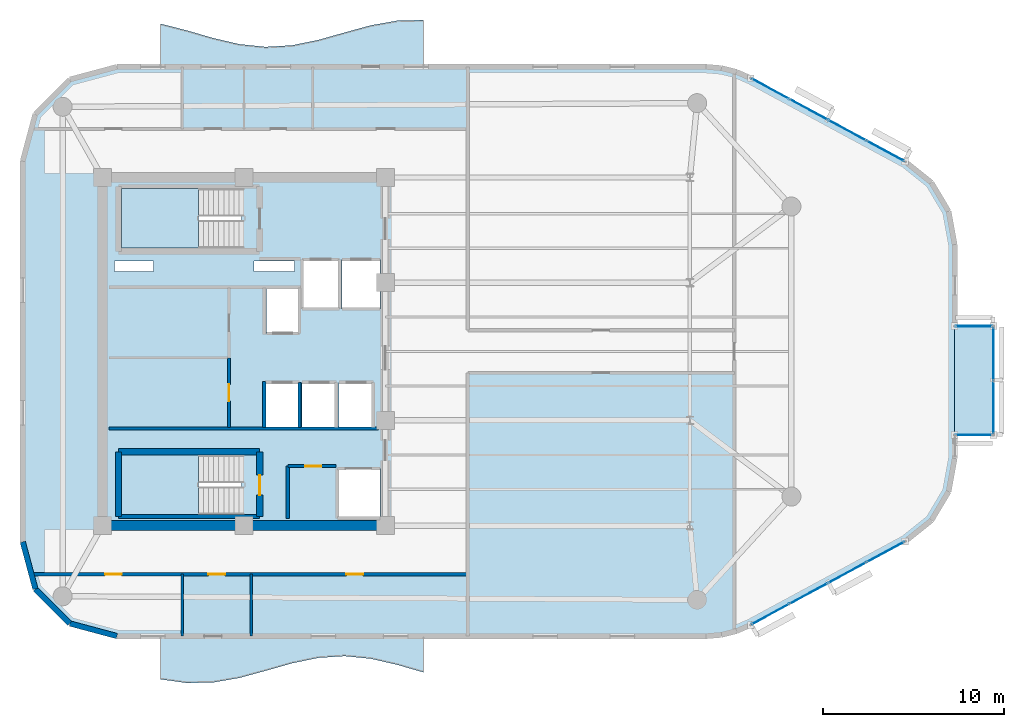
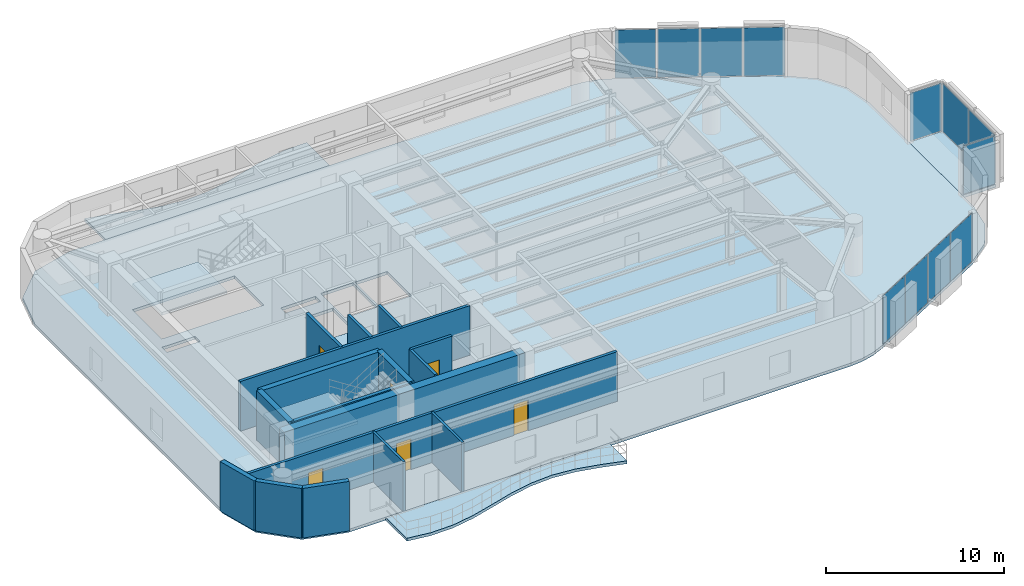
# One storey, part 9 of 14: 17 walls, 12 plates, 6 doors, 6 slabs, 6 openings, 7 elements without a shape of their own.
"""IFC4 building model written with IfcOpenShell, lengths in metres."""

from ifc_helpers import new_model, si_unit, direction, frame, frame_2d, origin, origin_2d, place, context, subcontext, project, spatial, polyline, rectangle, outline, extrude, material, layer, layer_set, type_object, element, fill, aggregate, save


model = new_model("IFC4")

# Units and contexts
model_context = context("Model", 3, precision=1e-05, world=origin(), true_north=direction((0.0, 1.0)))
body_context = subcontext(model_context, "Body", "Model", "MODEL_VIEW")
ifc_project = project(units=[si_unit("LENGTHUNIT", "METRE"), si_unit("AREAUNIT", "SQUARE_METRE"), si_unit("VOLUMEUNIT", "CUBIC_METRE"), si_unit("PLANEANGLEUNIT", "RADIAN"), si_unit("MASSUNIT", "GRAM", prefix="KILO")], contexts=[model_context])

# Site, building, storey
site_placement = place(None, origin())
site = spatial("IfcSite", under=ifc_project, at=site_placement, CompositionType="ELEMENT")
building_placement = place(site_placement, origin())
building = spatial("IfcBuilding", under=site, at=building_placement, Name="An Khanh Terracotta Commons", CompositionType="ELEMENT")
storey_placement = place(building_placement, frame((0.0, 0.0, 240.89990234375)))
storey = spatial("IfcBuildingStorey", under=building, at=storey_placement, Name="L63", CompositionType="ELEMENT", Elevation=240.89990234375)

# Curtain wall, plates
ifc_material_1 = material(Name="Anodised Aluminium 6063-T6", Category="aluminium")
ifc_layer_1 = layer(ifc_material_1, 0.2099609375, Name="Anodised Aluminium 6063-T6")
ifc_layer_set_1 = layer_set([ifc_layer_1], Name="Anodised Aluminium 6063-T6")
curtain_wall_type_1 = type_object("IfcCurtainWallType", Name="CW-SYS-03", PredefinedType="USERDEFINED", material=ifc_layer_set_1)
curtain_wall_1_placement = place(storey_placement, origin())
curtain_wall_1 = element("IfcCurtainWall", 1, at=curtain_wall_1_placement, inside=storey, type_object=curtain_wall_type_1, Name="L63 CW-03 Unitised Curtain Wall CW-L63-08", ObjectType="UNITISED CURTAIN WALL", PredefinedType="USERDEFINED")
ifc_material_2 = material(Name="Acoustic Laminated Low-E Glazing", Category="glass")
ifc_layer_2 = layer(ifc_material_2, 0.035888671875, Name="Acoustic Laminated Low-E Glazing")
ifc_layer_set_2 = layer_set([ifc_layer_2], Name="Acoustic Laminated Low-E Glazing")
plate_type_1 = type_object("IfcPlateType", Name="CWP-IGU-36", PredefinedType="CURTAIN_PANEL", material=ifc_layer_set_2)
plate_1_placement = place(storey_placement, frame((58.436767578125, 9.508544921875, 0.05029296875), z_axis=(0.0, 0.0, 1.0), x_axis=(0.879780095306, 0.47538088298, 0.0)))
plate_1 = element("IfcPlate", 2, at=plate_1_placement, type_object=plate_type_1, Name="CW-03 panel 1.1", PredefinedType="CURTAIN_PANEL", context=body_context, shape_type="SweptSolid", body=[
    extrude(rectangle(XDim=2.314697265625, YDim=0.035888671875, at=origin_2d()), origin(), (0.0, 0.0, 1.0), 3.300048828125),
])
plate_2_placement = place(storey_placement, frame((60.550048828125, 10.650390625, 0.05029296875), z_axis=(0.0, 0.0, 1.0), x_axis=(0.879780095306, 0.47538088298, 0.0)))
plate_2 = element("IfcPlate", 3, at=plate_2_placement, type_object=plate_type_1, Name="CW-03 panel 2.1", PredefinedType="CURTAIN_PANEL", context=body_context, shape_type="SweptSolid", body=[
    extrude(rectangle(XDim=2.349609375, YDim=0.035888671875, at=origin_2d()), origin(), (0.0, 0.0, 1.0), 3.300048828125),
])
plate_3_placement = place(storey_placement, frame((62.678955078125, 11.800537109375, 0.05029296875), z_axis=(0.0, 0.0, 1.0), x_axis=(0.879780095306, 0.47538088298, 0.0)))
plate_3 = element("IfcPlate", 4, at=plate_3_placement, type_object=plate_type_1, Name="CW-03 panel 3.1", PredefinedType="CURTAIN_PANEL", context=body_context, shape_type="SweptSolid", body=[
    extrude(rectangle(XDim=2.349609375, YDim=0.035888671875, at=origin_2d()), origin(), (0.0, 0.0, 1.0), 3.300048828125),
])
plate_4_placement = place(storey_placement, frame((64.792236328125, 12.942626953125, 0.05029296875), z_axis=(0.0, 0.0, 1.0), x_axis=(0.879780095306, 0.47538088298, 0.0)))
plate_4 = element("IfcPlate", 5, at=plate_4_placement, type_object=plate_type_1, Name="CW-03 panel 4.1", PredefinedType="CURTAIN_PANEL", context=body_context, shape_type="SweptSolid", body=[
    extrude(rectangle(XDim=2.314697265625, YDim=0.035888671875, at=origin_2d()), origin(), (0.0, 0.0, 1.0), 3.300048828125),
])
aggregate(curtain_wall_1, [plate_1, plate_2, plate_3, plate_4])

curtain_wall_2_placement = place(storey_placement, origin())
curtain_wall_2 = element("IfcCurtainWall", 6, at=curtain_wall_2_placement, inside=storey, type_object=curtain_wall_type_1, Name="L63 CW-03 Unitised Curtain Wall CW-L63-16", ObjectType="UNITISED CURTAIN WALL", PredefinedType="USERDEFINED")
plate_5_placement = place(storey_placement, frame((64.792236328125, 35.057373046875, 0.05029296875), z_axis=(0.0, 0.0, 1.0), x_axis=(-0.879780095306, 0.47538088298, 0.0)))
plate_5 = element("IfcPlate", 7, at=plate_5_placement, type_object=plate_type_1, Name="CW-03 panel 1.1", PredefinedType="CURTAIN_PANEL", context=body_context, shape_type="SweptSolid", body=[
    extrude(rectangle(XDim=2.314697265625, YDim=0.035888671875, at=origin_2d()), origin(), (0.0, 0.0, 1.0), 3.300048828125),
])
plate_6_placement = place(storey_placement, frame((62.678955078125, 36.199462890625, 0.05029296875), z_axis=(0.0, 0.0, 1.0), x_axis=(-0.879780095306, 0.47538088298, 0.0)))
plate_6 = element("IfcPlate", 8, at=plate_6_placement, type_object=plate_type_1, Name="CW-03 panel 2.1", PredefinedType="CURTAIN_PANEL", context=body_context, shape_type="SweptSolid", body=[
    extrude(rectangle(XDim=2.349609375, YDim=0.035888671875, at=origin_2d()), origin(), (0.0, 0.0, 1.0), 3.300048828125),
])
plate_7_placement = place(storey_placement, frame((60.550048828125, 37.349609375, 0.05029296875), z_axis=(0.0, 0.0, 1.0), x_axis=(-0.879780095306, 0.47538088298, 0.0)))
plate_7 = element("IfcPlate", 9, at=plate_7_placement, type_object=plate_type_1, Name="CW-03 panel 3.1", PredefinedType="CURTAIN_PANEL", context=body_context, shape_type="SweptSolid", body=[
    extrude(rectangle(XDim=2.349609375, YDim=0.035888671875, at=origin_2d()), origin(), (0.0, 0.0, 1.0), 3.300048828125),
])
plate_8_placement = place(storey_placement, frame((58.436767578125, 38.491455078125, 0.05029296875), z_axis=(0.0, 0.0, 1.0), x_axis=(-0.879780095306, 0.47538088298, 0.0)))
plate_8 = element("IfcPlate", 10, at=plate_8_placement, type_object=plate_type_1, Name="CW-03 panel 4.1", PredefinedType="CURTAIN_PANEL", context=body_context, shape_type="SweptSolid", body=[
    extrude(rectangle(XDim=2.314697265625, YDim=0.035888671875, at=origin_2d()), origin(), (0.0, 0.0, 1.0), 3.300048828125),
])
aggregate(curtain_wall_2, [plate_5, plate_6, plate_7, plate_8])

ifc_layer_3 = layer(ifc_material_1, 0.239990234375, Name="Anodised Aluminium 6063-T6")
ifc_layer_set_3 = layer_set([ifc_layer_3], Name="Anodised Aluminium 6063-T6")
curtain_wall_type_2 = type_object("IfcCurtainWallType", Name="CW-SYS-04", PredefinedType="USERDEFINED", material=ifc_layer_set_3)
curtain_wall_3_placement = place(storey_placement, origin())
curtain_wall_3 = element("IfcCurtainWall", 11, at=curtain_wall_3_placement, inside=storey, type_object=curtain_wall_type_2, Name="L63 CW-04 Unitised Curtain Wall CW-L63-EBOX-1", ObjectType="UNITISED CURTAIN WALL", PredefinedType="USERDEFINED")
ifc_material_3 = material(Name="Triple-Silver Sky-Lobby Glazing", Category="glass")
ifc_layer_4 = layer(ifc_material_3, 0.0400390625, Name="Triple-Silver Sky-Lobby Glazing")
ifc_layer_set_4 = layer_set([ifc_layer_4], Name="Triple-Silver Sky-Lobby Glazing")
plate_type_2 = type_object("IfcPlateType", Name="CWP-IGU-40", PredefinedType="CURTAIN_PANEL", material=ifc_layer_set_4)
plate_9_placement = place(storey_placement, frame((70.75, 20.916259765625, 0.06005859375), z_axis=(0.0, 0.0, 1.0), x_axis=(0.0, 1.0, 0.0)))
plate_9 = element("IfcPlate", 12, at=plate_9_placement, type_object=plate_type_2, Name="CW-04 panel 1.1", PredefinedType="CURTAIN_PANEL", context=body_context, shape_type="SweptSolid", body=[
    extrude(rectangle(XDim=2.902587890625, YDim=0.0400390625, at=origin_2d()), origin(), (0.0, 0.0, 1.0), 3.280029296875),
])
plate_10_placement = place(storey_placement, frame((70.75, 23.8837890625, 0.06005859375), z_axis=(0.0, 0.0, 1.0), x_axis=(0.0, 1.0, 0.0)))
plate_10 = element("IfcPlate", 13, at=plate_10_placement, type_object=plate_type_2, Name="CW-04 panel 2.1", PredefinedType="CURTAIN_PANEL", context=body_context, shape_type="SweptSolid", body=[
    extrude(rectangle(XDim=2.902587890625, YDim=0.0400390625, at=origin_2d()), origin(), (0.0, 0.0, 1.0), 3.280029296875),
])
aggregate(curtain_wall_3, [plate_9, plate_10])

# Curtain wall, plate
curtain_wall_4_placement = place(storey_placement, origin())
curtain_wall_4 = element("IfcCurtainWall", 14, at=curtain_wall_4_placement, inside=storey, type_object=curtain_wall_type_2, Name="L63 CW-04 Unitised Curtain Wall CW-L63-EBOX-2", ObjectType="UNITISED CURTAIN WALL", PredefinedType="USERDEFINED")
plate_11_placement = place(storey_placement, frame((69.675048828125, 19.39990234375, 0.06005859375), z_axis=(0.0, 0.0, 1.0), x_axis=(1.0, 0.0, 0.0)))
plate_11 = element("IfcPlate", 15, at=plate_11_placement, type_object=plate_type_2, Name="CW-04 panel 1.1", PredefinedType="CURTAIN_PANEL", context=body_context, shape_type="SweptSolid", body=[
    extrude(rectangle(XDim=2.02001953125, YDim=0.0400390625, at=origin_2d()), origin(), (0.0, 0.0, 1.0), 3.280029296875),
])
aggregate(curtain_wall_4, [plate_11])

curtain_wall_5_placement = place(storey_placement, origin())
curtain_wall_5 = element("IfcCurtainWall", 16, at=curtain_wall_5_placement, inside=storey, type_object=curtain_wall_type_2, Name="L63 CW-04 Unitised Curtain Wall CW-L63-EBOX-3", ObjectType="UNITISED CURTAIN WALL", PredefinedType="USERDEFINED")
plate_12_placement = place(storey_placement, frame((69.675048828125, 25.39990234375, 0.06005859375), z_axis=(0.0, 0.0, 1.0), x_axis=(-1.0, 0.0, 0.0)))
plate_12 = element("IfcPlate", 17, at=plate_12_placement, type_object=plate_type_2, Name="CW-04 panel 1.1", PredefinedType="CURTAIN_PANEL", context=body_context, shape_type="SweptSolid", body=[
    extrude(rectangle(XDim=2.02001953125, YDim=0.0400390625, at=origin_2d()), origin(), (0.0, 0.0, 1.0), 3.280029296875),
])
aggregate(curtain_wall_5, [plate_12])

# Slabs
ifc_material_4 = material(Name="Concrete C40/50", Category="concrete")
ifc_layer_5 = layer(ifc_material_4, 0.199951171875, Name="Concrete C40/50")
ifc_layer_set_5 = layer_set([ifc_layer_5], Name="Concrete C40/50")
slab_type_1 = type_object("IfcSlabType", Name="SLAB-BALC-200", PredefinedType="FLOOR", material=ifc_layer_set_5)
slab_1_placement = place(storey_placement, frame((0.0, 0.0, -0.199951171875)))
element("IfcSlab", 18, at=slab_1_placement, inside=storey, type_object=slab_type_1, Name="L63 S Sinusoidal Wave Balcony Slab", PredefinedType="FLOOR", context=body_context, shape_type="SweptSolid", body=[
    extrude(outline(polyline([(24.800048828125, 8.300048828125), (24.800048828125, 5.919921875), (26.25, 5.717041015625), (27.699951171875, 5.74609375), (29.14990234375, 5.9970703125), (30.60009765625, 6.39111328125), (32.050048828125, 6.803955078125), (33.5, 7.10400390625), (34.949951171875, 7.198974609375), (36.39990234375, 7.056884765625), (37.85009765625, 6.722900390625), (39.300048828125, 6.303955078125), (39.300048828125, 8.300048828125), (24.800048828125, 8.300048828125)])), origin(), (0.0, 0.0, 1.0), 0.199951171875),
])
slab_2_placement = place(storey_placement, frame((0.0, 0.0, -0.199951171875)))
element("IfcSlab", 19, at=slab_2_placement, inside=storey, type_object=slab_type_1, Name="L63 N Sinusoidal Wave Balcony Slab", PredefinedType="FLOOR", context=body_context, shape_type="SweptSolid", body=[
    extrude(outline(polyline([(39.300048828125, 39.699951171875), (39.300048828125, 42.285888671875), (37.85009765625, 42.248046875), (36.39990234375, 41.990966796875), (34.949951171875, 41.593994140625), (33.5, 41.18408203125), (32.050048828125, 40.888916015625), (30.60009765625, 40.802001953125), (29.14990234375, 40.951904296875), (27.699951171875, 41.2900390625), (26.25, 41.7109375), (24.800048828125, 42.080078125), (24.800048828125, 39.699951171875), (39.300048828125, 39.699951171875)])), origin(), (0.0, 0.0, 1.0), 0.199951171875),
])

# Stair, slab
ifc_material_5 = material(Name="Precast concrete C40/50", Category="concrete")
stair_type = type_object("IfcStairType", Name="STAIR-CORE-1550", PredefinedType="HALF_TURN_STAIR", material=ifc_material_5)
stair_1_placement = place(storey_placement, origin())
stair_1 = element("IfcStair", 20, at=stair_1_placement, inside=storey, type_object=stair_type, Name="L63 Core Smokeproof Exit Stair ST-01", PredefinedType="HALF_TURN_STAIR")
ifc_layer_6 = layer(ifc_material_4, 0.18994140625, Name="Concrete C40/50")
ifc_layer_set_6 = layer_set([ifc_layer_6], Name="Concrete C40/50")
slab_type_2 = type_object("IfcSlabType", Name="SLAB-LANDING-190", PredefinedType="LANDING", material=ifc_layer_set_6)
slab_3_placement = place(storey_placement, frame((0.0, 0.0, 1.60009765625)))
slab_3 = element("IfcSlab", 21, at=slab_3_placement, type_object=slab_type_2, Name="ST-01 landing 1", PredefinedType="LANDING", context=body_context, shape_type="SweptSolid", body=[
    extrude(outline(polyline([(26.889892578125, 33.0), (22.64990234375, 33.0), (22.64990234375, 29.699951171875), (26.889892578125, 29.699951171875), (26.889892578125, 33.0)])), origin(), (0.0, 0.0, 1.0), 0.199951171875),
])
aggregate(stair_1, [slab_3])

stair_2_placement = place(storey_placement, origin())
stair_2 = element("IfcStair", 22, at=stair_2_placement, inside=storey, type_object=stair_type, Name="L63 Core Smokeproof Exit Stair ST-02", PredefinedType="HALF_TURN_STAIR")
slab_4_placement = place(storey_placement, frame((0.0, 0.0, 1.60009765625)))
slab_4 = element("IfcSlab", 23, at=slab_4_placement, type_object=slab_type_2, Name="ST-02 landing 1", PredefinedType="LANDING", context=body_context, shape_type="SweptSolid", body=[
    extrude(outline(polyline([(26.889892578125, 18.300048828125), (22.64990234375, 18.300048828125), (22.64990234375, 15.0), (26.889892578125, 15.0), (26.889892578125, 18.300048828125)])), origin(), (0.0, 0.0, 1.0), 0.199951171875),
])
aggregate(stair_2, [slab_4])

# Slabs
ifc_layer_7 = layer(ifc_material_4, 0.199951171875, Name="Concrete C40/50")
ifc_layer_set_7 = layer_set([ifc_layer_7], Name="Concrete C40/50")
slab_type_3 = type_object("IfcSlabType", Name="SLAB-TYP-200", PredefinedType="FLOOR", material=ifc_layer_set_7)
slab_5_placement = place(storey_placement, frame((0.0, 0.0, -0.199951171875)))
element("IfcSlab", 24, at=slab_5_placement, inside=storey, type_object=slab_type_3, Name="L63 Structural Floor Slab", PredefinedType="FLOOR", context=body_context, shape_type="SweptSolid", body=[
    extrude(outline(polyline([(17.199951171875, 13.5), (17.89697265625, 10.89990234375), (19.800048828125, 8.9970703125), (22.39990234375, 8.300048828125), (54.885009765625, 8.300048828125), (55.739990234375, 8.37109375), (56.571044921875, 8.5810546875), (57.35693359375, 8.925048828125), (65.8720703125, 13.52587890625), (67.320068359375, 14.68408203125), (68.26904296875, 16.27587890625), (68.60009765625, 18.10107421875), (68.60009765625, 29.89892578125), (68.26904296875, 31.72412109375), (67.320068359375, 33.31591796875), (65.8720703125, 34.47412109375), (57.35693359375, 39.074951171875), (56.571044921875, 39.4189453125), (55.739990234375, 39.62890625), (54.885009765625, 39.699951171875), (22.39990234375, 39.699951171875), (19.800048828125, 39.0029296875), (17.89697265625, 37.10009765625), (17.199951171875, 34.5), (17.199951171875, 13.5)]), holes=[polyline([(22.64990234375, 29.699951171875), (29.27001953125, 29.699951171875), (29.27001953125, 33.0), (22.64990234375, 33.0), (22.64990234375, 29.699951171875)]), polyline([(22.64990234375, 15.0), (29.27001953125, 15.0), (29.27001953125, 18.300048828125), (22.64990234375, 18.300048828125), (22.64990234375, 15.0)]), polyline([(32.60009765625, 26.35009765625), (34.679931640625, 26.35009765625), (34.679931640625, 29.080078125), (32.60009765625, 29.080078125), (32.60009765625, 26.35009765625)]), polyline([(34.820068359375, 26.35009765625), (36.89990234375, 26.35009765625), (36.89990234375, 29.080078125), (34.820068359375, 29.080078125), (34.820068359375, 26.35009765625)]), polyline([(34.550048828125, 14.800048828125), (36.89990234375, 14.800048828125), (36.89990234375, 17.550048828125), (34.550048828125, 17.550048828125), (34.550048828125, 14.800048828125)]), polyline([(30.639892578125, 25.0), (32.4599609375, 25.0), (32.4599609375, 27.5), (30.639892578125, 27.5), (30.639892578125, 25.0)]), polyline([(30.56005859375, 19.800048828125), (32.4599609375, 19.800048828125), (32.4599609375, 22.300048828125), (30.56005859375, 22.300048828125), (30.56005859375, 19.800048828125)]), polyline([(32.60009765625, 19.800048828125), (34.5, 19.800048828125), (34.5, 22.300048828125), (32.60009765625, 22.300048828125), (32.60009765625, 19.800048828125)]), polyline([(34.639892578125, 19.800048828125), (36.5400390625, 19.800048828125), (36.5400390625, 22.300048828125), (34.639892578125, 22.300048828125), (34.639892578125, 19.800048828125)]), polyline([(22.25, 28.419921875), (24.39990234375, 28.419921875), (24.39990234375, 28.97998046875), (22.25, 28.97998046875), (22.25, 28.419921875)]), polyline([(29.949951171875, 28.419921875), (32.199951171875, 28.419921875), (32.199951171875, 28.97998046875), (29.949951171875, 28.97998046875), (29.949951171875, 28.419921875)])]), origin(), (0.0, 0.0, 1.0), 0.199951171875),
])
slab_6_placement = place(storey_placement, frame((0.0, 0.0, -0.199951171875)))
element("IfcSlab", 25, at=slab_6_placement, inside=storey, type_object=slab_type_3, Name="L63 Shifted Social Kitchen Box Floor Slab", PredefinedType="FLOOR", context=body_context, shape_type="SweptSolid", body=[
    extrude(outline(polyline([(68.60009765625, 19.39990234375), (70.75, 19.39990234375), (70.75, 25.39990234375), (68.60009765625, 25.39990234375), (68.60009765625, 19.39990234375)])), origin(), (0.0, 0.0, 1.0), 0.199951171875),
])

# Walls
ifc_material_6 = material(Name="Concrete C50/60", Category="concrete")
ifc_layer_8 = layer(ifc_material_6, 0.550048828125, Name="Concrete C50/60")
ifc_layer_set_8 = layer_set([ifc_layer_8], Name="Concrete C50/60")
wall_type_1 = type_object("IfcWallType", Name="WALL-CORE-550", PredefinedType="SHEAR", material=ifc_layer_set_8)
wall_1_placement = place(storey_placement, frame((37.199951171875, 14.39990234375, 0.0), z_axis=(0.0, 0.0, 1.0), x_axis=(-1.0, 0.0, 0.0)))
element("IfcWall", 26, at=wall_1_placement, inside=storey, type_object=wall_type_1, Name="L63 Core Wall CWALL-L63-S", PredefinedType="SHEAR", context=body_context, shape_type="SweptSolid", body=[
    extrude(rectangle(XDim=15.599853515625, YDim=0.550048828125, at=frame_2d((7.7998046875, 0.0))), origin(), (0.0, 0.0, 1.0), 3.400146484375),
])
ifc_material_7 = material(Name="Fire-Rated Gypsum Board on Steel Stud", Category="steel")
ifc_layer_9 = layer(ifc_material_7, 0.179931640625, Name="Fire-Rated Gypsum Board on Steel Stud")
ifc_layer_set_9 = layer_set([ifc_layer_9], Name="Fire-Rated Gypsum Board on Steel Stud")
wall_type_2 = type_object("IfcWallType", Name="WALL-CORR-180", PredefinedType="PARTITIONING", material=ifc_layer_set_9)
wall_2_placement = place(storey_placement, frame((21.949951171875, 19.760009765625, 0.0), z_axis=(0.0, 0.0, 1.0), x_axis=(1.0, 0.0, 0.0)))
element("IfcWall", 27, at=wall_2_placement, inside=storey, type_object=wall_type_2, Name="L63 Core Wall SVW-L63-N", PredefinedType="PARTITIONING", context=body_context, shape_type="SweptSolid", body=[
    extrude(rectangle(XDim=14.8701171875, YDim=0.179931640625, at=frame_2d((7.43505859375, 0.0))), origin(), (0.0, 0.0, 1.0), 3.400146484375),
])

# Wall, opening, door
wall_3_placement = place(storey_placement, frame((31.820068359375, 17.679931640625, 0.0), z_axis=(0.0, 0.0, 1.0), x_axis=(1.0, 0.0, 0.0)))
wall_3 = element("IfcWall", 28, at=wall_3_placement, inside=storey, type_object=wall_type_2, Name="L63 Core Wall SSVCW-L63-N", PredefinedType="PARTITIONING", context=body_context, shape_type="SweptSolid", body=[
    extrude(rectangle(XDim=2.659912109375, YDim=0.179931640625, at=frame_2d((1.330078125, 0.0))), origin(), (0.0, 0.0, 1.0), 3.400146484375),
])
opening_1_placement = place(wall_3_placement, frame((0.949951171875, 0.0, 0.0)))
opening_1 = element("IfcOpeningElement", 29, at=opening_1_placement, cuts=wall_3, Name="Opening D-SV", PredefinedType="OPENING", context=body_context, shape_type="SweptSolid", body=[
    extrude(rectangle(XDim=0.89990234375, YDim=2.050048828125, at=frame_2d((0.449951171875, 1.02490234375))), frame((0.0, 0.099853515625, 0.0), z_axis=(0.0, -1.0, 0.0), x_axis=(1.0, 0.0, 0.0)), (0.0, 0.0, 1.0), 0.199951171875),
])
ifc_material_8 = material(Name="Fire-Rated Powder-Coated Steel Door", Category="steel")
door_type_1 = type_object("IfcDoorType", Name="DOOR-SERV-900", OperationType="NOTDEFINED", PredefinedType="DOOR", material=ifc_material_8)
door_1_placement = place(opening_1_placement, origin())
door_1 = element("IfcDoor", 30, at=door_1_placement, inside=storey, type_object=door_type_1, Name="L63 Electrical Switch Cupboard Door", OperationType="SINGLE_SWING_LEFT", OverallHeight=2.050048828125, OverallWidth=0.89990234375, PredefinedType="DOOR", context=body_context, shape_type="SweptSolid", body=[
    extrude(rectangle(XDim=0.89990234375, YDim=2.050048828125, at=frame_2d((0.449951171875, 1.02490234375))), frame((0.0, 0.02490234375, 0.0), z_axis=(0.0, -1.0, 0.0), x_axis=(1.0, 0.0, 0.0)), (0.0, 0.0, 1.0), 0.050048828125),
])
fill(opening_1, door_1)

# Walls
wall_4_placement = place(storey_placement, frame((31.820068359375, 14.800048828125, 0.0), z_axis=(0.0, 0.0, 1.0), x_axis=(0.0, 1.0, 0.0)))
element("IfcWall", 31, at=wall_4_placement, inside=storey, type_object=wall_type_2, Name="L63 Core Wall SSVCW-L63-W", PredefinedType="PARTITIONING", context=body_context, shape_type="SweptSolid", body=[
    extrude(rectangle(XDim=2.8798828125, YDim=0.179931640625, at=frame_2d((1.43994140625, 0.0))), origin(), (0.0, 0.0, 1.0), 3.400146484375),
])
wall_5_placement = place(storey_placement, frame((32.4599609375, 19.800048828125, 0.0), z_axis=(0.0, 0.0, 1.0), x_axis=(0.0, 1.0, 0.0)))
element("IfcWall", 32, at=wall_5_placement, inside=storey, type_object=wall_type_2, Name="L63 Core Wall LSH-L63-PL-H2-E", PredefinedType="PARTITIONING", context=body_context, shape_type="SweptSolid", body=[
    extrude(rectangle(XDim=2.5, YDim=0.179931640625, at=frame_2d((1.25, 0.0))), origin(), (0.0, 0.0, 1.0), 3.400146484375),
])
wall_6_placement = place(storey_placement, frame((30.52001953125, 19.800048828125, 0.0), z_axis=(0.0, 0.0, 1.0), x_axis=(0.0, 1.0, 0.0)))
element("IfcWall", 33, at=wall_6_placement, inside=storey, type_object=wall_type_2, Name="L63 Core Wall RECW-L63-BE2", PredefinedType="PARTITIONING", context=body_context, shape_type="SweptSolid", body=[
    extrude(rectangle(XDim=2.550048828125, YDim=0.179931640625, at=frame_2d((1.27490234375, 0.0))), origin(), (0.0, 0.0, 1.0), 3.400146484375),
])

# Wall, opening, door
wall_7_placement = place(storey_placement, frame((28.580078125, 19.800048828125, 0.0), z_axis=(0.0, 0.0, 1.0), x_axis=(0.0, 1.0, 0.0)))
wall_7 = element("IfcWall", 34, at=wall_7_placement, inside=storey, type_object=wall_type_2, Name="L63 Core Wall RECW-L63-E2", PredefinedType="PARTITIONING", context=body_context, shape_type="SweptSolid", body=[
    extrude(rectangle(XDim=3.849853515625, YDim=0.179931640625, at=frame_2d((1.9248046875, 0.0))), origin(), (0.0, 0.0, 1.0), 3.400146484375),
])
opening_2_placement = place(wall_7_placement, frame((1.465087890625, 0.0, 0.0)))
opening_2 = element("IfcOpeningElement", 35, at=opening_2_placement, cuts=wall_7, Name="Opening D-RM", PredefinedType="OPENING", context=body_context, shape_type="SweptSolid", body=[
    extrude(rectangle(XDim=0.919921875, YDim=2.10009765625, at=frame_2d((0.4599609375, 1.050048828125))), frame((0.0, 0.099853515625, 0.0), z_axis=(0.0, -1.0, 0.0), x_axis=(1.0, 0.0, 0.0)), (0.0, 0.0, 1.0), 0.199951171875),
])
ifc_material_9 = material(Name="Engineered Hardwood Timber Leaf", Category="wood")
door_type_2 = type_object("IfcDoorType", Name="DOOR-INT-920", OperationType="NOTDEFINED", PredefinedType="DOOR", material=ifc_material_9)
door_2_placement = place(opening_2_placement, origin())
door_2 = element("IfcDoor", 36, at=door_2_placement, inside=storey, type_object=door_type_2, Name="L63 Quiet Fellowship Study Room Door", OperationType="SINGLE_SWING_LEFT", OverallHeight=2.10009765625, OverallWidth=0.919921875, PredefinedType="DOOR", context=body_context, shape_type="SweptSolid", body=[
    extrude(rectangle(XDim=0.919921875, YDim=2.10009765625, at=frame_2d((0.4599609375, 1.050048828125))), frame((0.0, 0.02490234375, 0.0), z_axis=(0.0, -1.0, 0.0), x_axis=(1.0, 0.0, 0.0)), (0.0, 0.0, 1.0), 0.050048828125),
])
fill(opening_2, door_2)

# Wall, openings, doors
wall_8_placement = place(storey_placement, frame((17.677001953125, 11.719970703125, 0.0), z_axis=(0.0, 0.0, 1.0), x_axis=(1.0, 0.0, 0.0)))
wall_8 = element("IfcWall", 37, at=wall_8_placement, inside=storey, type_object=wall_type_2, Name="L63 Interior Partition IW-L63-E001", PredefinedType="PARTITIONING", context=body_context, shape_type="SweptSolid", body=[
    extrude(rectangle(XDim=24.072998046875, YDim=0.179931640625, at=frame_2d((12.03662109375, 0.0))), origin(), (0.0, 0.0, 1.0), 3.400146484375),
])
opening_3_placement = place(wall_8_placement, frame((9.762939453125, 0.0, 0.0)))
opening_3 = element("IfcOpeningElement", 38, at=opening_3_placement, cuts=wall_8, Name="Opening D-RM", PredefinedType="OPENING", context=body_context, shape_type="SweptSolid", body=[
    extrude(rectangle(XDim=0.919921875, YDim=2.10009765625, at=frame_2d((0.4599609375, 1.050048828125))), frame((0.0, 0.099853515625, 0.0), z_axis=(0.0, -1.0, 0.0), x_axis=(1.0, 0.0, 0.0)), (0.0, 0.0, 1.0), 0.199951171875),
])
opening_4_placement = place(wall_8_placement, frame((4.06298828125, 0.0, 0.0)))
opening_4 = element("IfcOpeningElement", 39, at=opening_4_placement, cuts=wall_8, Name="Opening D-RM", PredefinedType="OPENING", context=body_context, shape_type="SweptSolid", body=[
    extrude(rectangle(XDim=0.919921875, YDim=2.10009765625, at=frame_2d((0.4599609375, 1.050048828125))), frame((0.0, 0.099853515625, 0.0), z_axis=(0.0, -1.0, 0.0), x_axis=(1.0, 0.0, 0.0)), (0.0, 0.0, 1.0), 0.199951171875),
])
opening_5_placement = place(wall_8_placement, frame((17.3779296875, 0.0, 0.0)))
opening_5 = element("IfcOpeningElement", 40, at=opening_5_placement, cuts=wall_8, Name="Opening D-RM", PredefinedType="OPENING", context=body_context, shape_type="SweptSolid", body=[
    extrude(rectangle(XDim=0.919921875, YDim=2.10009765625, at=frame_2d((0.4599609375, 1.050048828125))), frame((0.0, 0.099853515625, 0.0), z_axis=(0.0, -1.0, 0.0), x_axis=(1.0, 0.0, 0.0)), (0.0, 0.0, 1.0), 0.199951171875),
])
door_3_placement = place(opening_3_placement, origin())
door_3 = element("IfcDoor", 41, at=door_3_placement, inside=storey, type_object=door_type_2, Name="L63 HKP Housekeeping Linen Store Door", OperationType="SINGLE_SWING_RIGHT", OverallHeight=2.10009765625, OverallWidth=0.919921875, PredefinedType="DOOR", context=body_context, shape_type="SweptSolid", body=[
    extrude(rectangle(XDim=0.919921875, YDim=2.10009765625, at=frame_2d((0.4599609375, 1.050048828125))), frame((0.0, 0.02490234375, 0.0), z_axis=(0.0, -1.0, 0.0), x_axis=(1.0, 0.0, 0.0)), (0.0, 0.0, 1.0), 0.050048828125),
])
fill(opening_3, door_3)
door_4_placement = place(opening_4_placement, origin())
door_4 = element("IfcDoor", 42, at=door_4_placement, inside=storey, type_object=door_type_2, Name="L63 SW1 Academic Seminar Room Door", OperationType="SINGLE_SWING_RIGHT", OverallHeight=2.10009765625, OverallWidth=0.919921875, PredefinedType="DOOR", context=body_context, shape_type="SweptSolid", body=[
    extrude(rectangle(XDim=0.919921875, YDim=2.10009765625, at=frame_2d((0.4599609375, 1.050048828125))), frame((0.0, 0.02490234375, 0.0), z_axis=(0.0, -1.0, 0.0), x_axis=(1.0, 0.0, 0.0)), (0.0, 0.0, 1.0), 0.050048828125),
])
fill(opening_4, door_4)
door_5_placement = place(opening_5_placement, origin())
door_5 = element("IfcDoor", 43, at=door_5_placement, inside=storey, type_object=door_type_2, Name="L63 SWE Music Practice Room Door", OperationType="SINGLE_SWING_LEFT", OverallHeight=2.10009765625, OverallWidth=0.919921875, PredefinedType="DOOR", context=body_context, shape_type="SweptSolid", body=[
    extrude(rectangle(XDim=0.919921875, YDim=2.10009765625, at=frame_2d((0.4599609375, 1.050048828125))), frame((0.0, 0.02490234375, 0.0), z_axis=(0.0, -1.0, 0.0), x_axis=(1.0, 0.0, 0.0)), (0.0, 0.0, 1.0), 0.050048828125),
])
fill(opening_5, door_5)

# Walls
ifc_layer_10 = layer(ifc_material_5, 0.300048828125, Name="Precast concrete C40/50")
ifc_layer_set_10 = layer_set([ifc_layer_10], Name="Precast concrete C40/50")
wall_type_3 = type_object("IfcWallType", Name="WALL-EXT-300", PredefinedType="SOLIDWALL", material=ifc_layer_set_10)
wall_9_placement = place(storey_placement, frame((17.199951171875, 13.5, 0.0), z_axis=(0.0, 0.0, 1.0), x_axis=(0.258932525951, -0.965895412042, 0.0)))
element("IfcWall", 44, at=wall_9_placement, inside=storey, type_object=wall_type_3, Name="L63 Insulated Terracotta Exterior Wall 1", PredefinedType="SOLIDWALL", context=body_context, shape_type="SweptSolid", body=[
    extrude(rectangle(XDim=2.69189453125, YDim=0.300048828125, at=frame_2d((1.345947265625, 0.0))), origin(), (0.0, 0.0, 1.0), 3.400146484375),
])
wall_10_placement = place(storey_placement, frame((17.89697265625, 10.89990234375, 0.0), z_axis=(0.0, 0.0, 1.0), x_axis=(0.707152139074, -0.70706142039, 0.0)))
element("IfcWall", 45, at=wall_10_placement, inside=storey, type_object=wall_type_3, Name="L63 Insulated Terracotta Exterior Wall 2", PredefinedType="SOLIDWALL", context=body_context, shape_type="SweptSolid", body=[
    extrude(rectangle(XDim=2.691162109375, YDim=0.300048828125, at=frame_2d((1.345703125, 0.0))), origin(), (0.0, 0.0, 1.0), 3.400146484375),
])
wall_11_placement = place(storey_placement, frame((19.800048828125, 8.9970703125, 0.0), z_axis=(0.0, 0.0, 1.0), x_axis=(0.965889330541, -0.258955210695, 0.0)))
element("IfcWall", 46, at=wall_11_placement, inside=storey, type_object=wall_type_3, Name="L63 Insulated Terracotta Exterior Wall 3", PredefinedType="SOLIDWALL", context=body_context, shape_type="SweptSolid", body=[
    extrude(rectangle(XDim=2.691650390625, YDim=0.300048828125, at=frame_2d((1.345703125, 0.0))), origin(), (0.0, 0.0, 1.0), 3.400146484375),
])
ifc_material_10 = material(Name="Acoustic Gypsum Board Partition")
ifc_layer_11 = layer(ifc_material_10, 0.14990234375, Name="Acoustic Gypsum Board Partition")
ifc_layer_set_11 = layer_set([ifc_layer_11], Name="Acoustic Gypsum Board Partition")
wall_type_4 = type_object("IfcWallType", Name="WALL-PART-150", PredefinedType="PARTITIONING", material=ifc_layer_set_11)
for number, where, z_axis, x_axis, name in (
    (47, (26.0, 8.300048828125, 0.0), (0.0, 0.0, 1.0), (0.0, 1.0, 0.0), "L63 Interior Partition IW-L63-E005"),
    (48, (29.800048828125, 8.300048828125, 0.0), (0.0, 0.0, 1.0), (0.0, 1.0, 0.0), "L63 Interior Partition IW-L63-E008"),
):
    element("IfcWall", number, at=place(storey_placement, frame(where, z_axis=z_axis, x_axis=x_axis)), inside=storey, type_object=wall_type_4, Name=name, PredefinedType="PARTITIONING", context=body_context, shape_type="SweptSolid", body=[
        extrude(rectangle(XDim=3.419921875, YDim=0.14990234375, at=frame_2d((1.7099609375, 0.0))), origin(), (0.0, 0.0, 1.0), 3.400146484375),
    ])
ifc_material_11 = material(Name="Acoustic Double-Stud Gypsum and Mineral Wool")
ifc_layer_12 = layer(ifc_material_11, 0.219970703125, Name="Acoustic Double-Stud Gypsum and Mineral Wool")
ifc_layer_set_12 = layer_set([ifc_layer_12], Name="Acoustic Double-Stud Gypsum and Mineral Wool")
wall_type_5 = type_object("IfcWallType", Name="WALL-PARTY-220", PredefinedType="PARTITIONING", material=ifc_layer_set_12)
wall_12_placement = place(storey_placement, frame((22.47998046875, 14.889892578125, 0.0), z_axis=(0.0, 0.0, 1.0), x_axis=(1.0, 0.0, 0.0)))
element("IfcWall", 49, at=wall_12_placement, inside=storey, type_object=wall_type_5, Name="L63 Core Wall STW-L63-S-S", PredefinedType="PARTITIONING", context=body_context, shape_type="SweptSolid", body=[
    extrude(rectangle(XDim=7.7900390625, YDim=0.219970703125, at=frame_2d((3.89501953125, 0.0))), origin(), (0.0, 0.0, 1.0), 3.400146484375),
])
ifc_layer_13 = layer(ifc_material_6, 0.35009765625, Name="Concrete C50/60")
ifc_layer_set_13 = layer_set([ifc_layer_13], Name="Concrete C50/60")
wall_type_6 = type_object("IfcWallType", Name="WALL-SHAFT-350", PredefinedType="SOLIDWALL", material=ifc_layer_set_13)
wall_13_placement = place(storey_placement, frame((22.47998046875, 18.469970703125, 0.0), z_axis=(0.0, 0.0, 1.0), x_axis=(1.0, 0.0, 0.0)))
element("IfcWall", 50, at=wall_13_placement, inside=storey, type_object=wall_type_6, Name="L63 Core Wall STW-L63-S-N", PredefinedType="SOLIDWALL", context=body_context, shape_type="SweptSolid", body=[
    extrude(rectangle(XDim=7.7900390625, YDim=0.35009765625, at=frame_2d((3.89501953125, 0.0))), origin(), (0.0, 0.0, 1.0), 3.400146484375),
])
wall_14_placement = place(storey_placement, frame((22.47998046875, 14.889892578125, 0.0), z_axis=(0.0, 0.0, 1.0), x_axis=(0.0, 1.0, 0.0)))
element("IfcWall", 51, at=wall_14_placement, inside=storey, type_object=wall_type_6, Name="L63 Core Wall STW-L63-S-W", PredefinedType="SOLIDWALL", context=body_context, shape_type="SweptSolid", body=[
    extrude(rectangle(XDim=3.580078125, YDim=0.35009765625, at=frame_2d((1.7900390625, 0.0))), origin(), (0.0, 0.0, 1.0), 3.400146484375),
])

# Wall, opening, door
wall_15_placement = place(storey_placement, frame((30.27001953125, 14.889892578125, 0.0), z_axis=(0.0, 0.0, 1.0), x_axis=(0.0, 1.0, 0.0)))
wall_15 = element("IfcWall", 52, at=wall_15_placement, inside=storey, type_object=wall_type_6, Name="L63 Core Wall STW-L63-S-E", PredefinedType="SOLIDWALL", context=body_context, shape_type="SweptSolid", body=[
    extrude(rectangle(XDim=3.580078125, YDim=0.35009765625, at=frame_2d((1.7900390625, 0.0))), origin(), (0.0, 0.0, 1.0), 3.400146484375),
])
opening_6_placement = place(wall_15_placement, frame((1.18994140625, 0.0, 0.0)))
opening_6 = element("IfcOpeningElement", 53, at=opening_6_placement, cuts=wall_15, Name="Opening D-ST", PredefinedType="OPENING", context=body_context, shape_type="SweptSolid", body=[
    extrude(rectangle(XDim=1.10009765625, YDim=2.14990234375, at=frame_2d((0.550048828125, 1.074951171875))), frame((0.0, 0.18505859375, 0.0), z_axis=(0.0, -1.0, 0.0), x_axis=(1.0, 0.0, 0.0)), (0.0, 0.0, 1.0), 0.3701171875),
])
ifc_material_12 = material(Name="Fire-Rated Steel Leaf and Frame", Category="steel")
door_type_3 = type_object("IfcDoorType", Name="DOOR-STAIR-1100", OperationType="NOTDEFINED", PredefinedType="DOOR", material=ifc_material_12)
door_6_placement = place(opening_6_placement, origin())
door_6 = element("IfcDoor", 54, at=door_6_placement, inside=storey, type_object=door_type_3, Name="L63 Stair ST-02 Fire Door", OperationType="SINGLE_SWING_RIGHT", OverallHeight=2.14990234375, OverallWidth=1.10009765625, PredefinedType="DOOR", context=body_context, shape_type="SweptSolid", body=[
    extrude(rectangle(XDim=1.10009765625, YDim=2.14990234375, at=frame_2d((0.550048828125, 1.074951171875))), frame((0.0, 0.02490234375, 0.0), z_axis=(0.0, -1.0, 0.0), x_axis=(1.0, 0.0, 0.0)), (0.0, 0.0, 1.0), 0.050048828125),
])
fill(opening_6, door_6)

save(model, "model.ifc")
